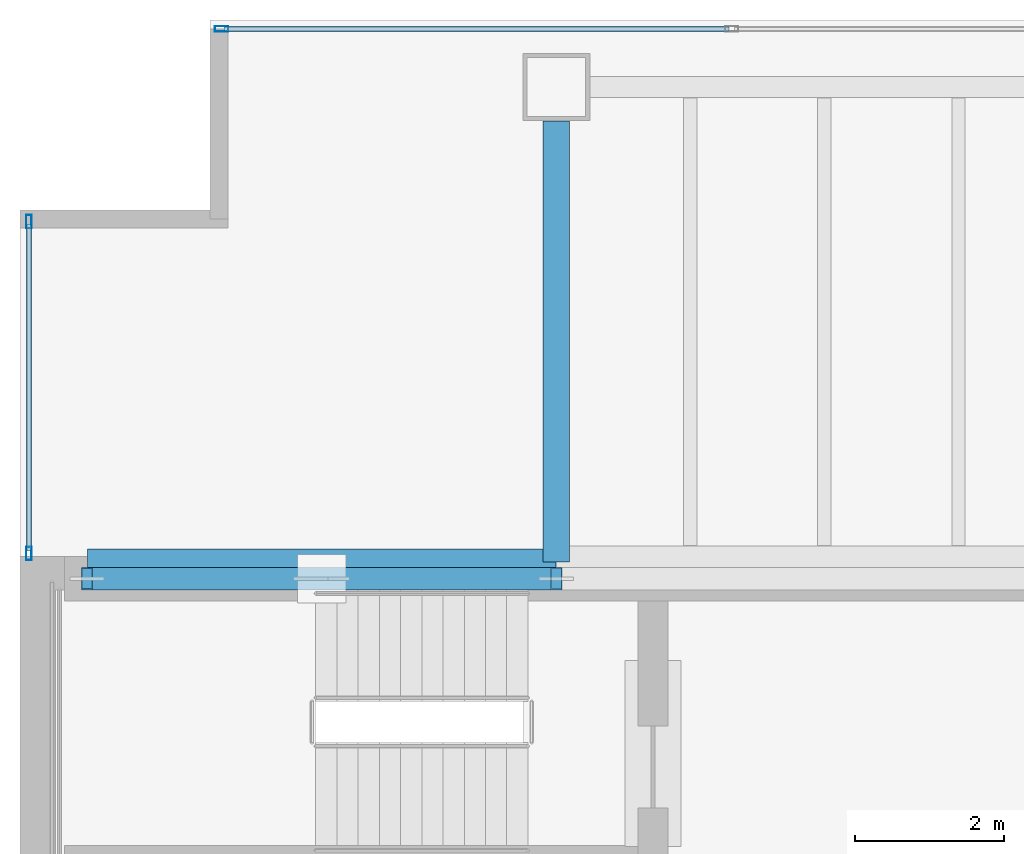
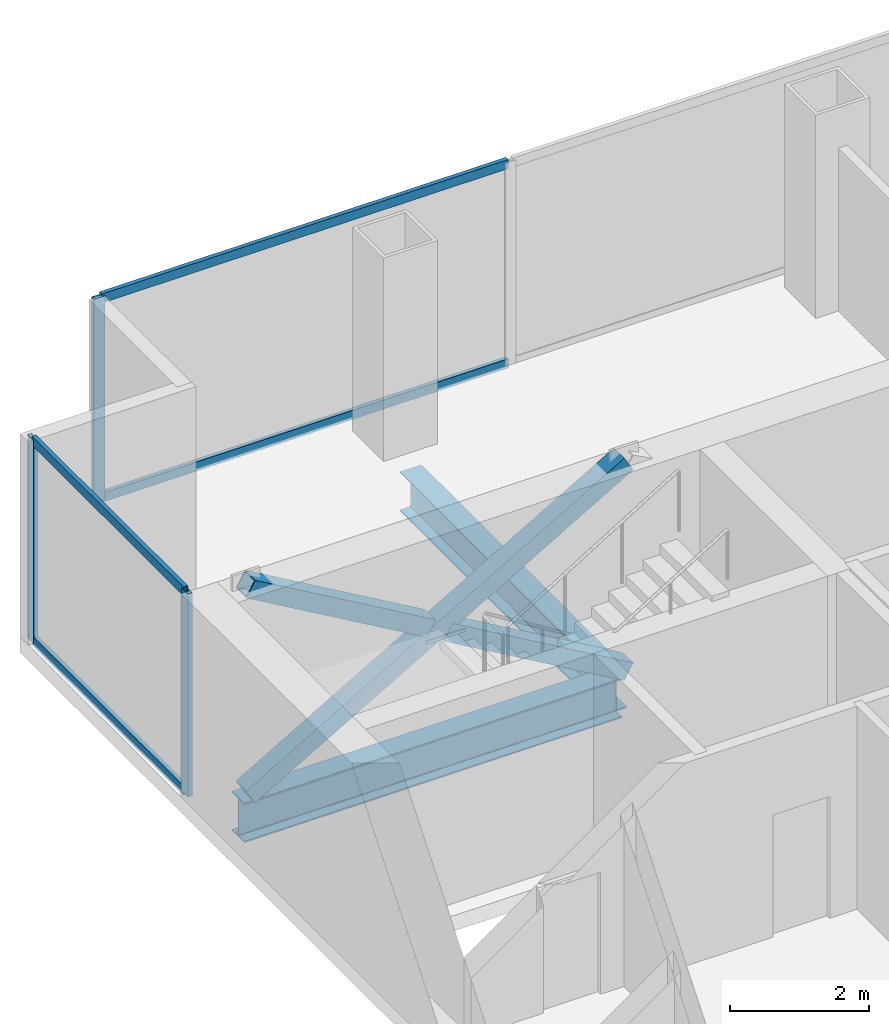
# One storey, part 16 of 23: 10 members, 2 beams, 2 elements without a shape of their own.
"""IFC4 building model written with IfcOpenShell, lengths in metres."""

from ifc_helpers import new_model, si_unit, direction, frame, origin, origin_2d, place, context, subcontext, project, spatial, hollow_rectangle, i_section, extrude, material, material_profile, profile_set, type_object, element, aggregate, save


model = new_model("IFC4")

# Units and contexts
model_context = context("Model", 3, precision=1e-05, world=origin(), true_north=direction((0.0, 1.0)))
body_context = subcontext(model_context, "Body", "Model", "MODEL_VIEW")
ifc_project = project(units=[si_unit("LENGTHUNIT", "METRE"), si_unit("AREAUNIT", "SQUARE_METRE"), si_unit("VOLUMEUNIT", "CUBIC_METRE"), si_unit("PLANEANGLEUNIT", "RADIAN"), si_unit("MASSUNIT", "GRAM", prefix="KILO")], contexts=[model_context])

# Site, building, storey
site_placement = place(None, origin())
site = spatial("IfcSite", under=ifc_project, at=site_placement, CompositionType="ELEMENT")
building_placement = place(site_placement, origin())
building = spatial("IfcBuilding", under=site, at=building_placement, Name="Cobrela Telecom Tower", CompositionType="ELEMENT")
storey_placement = place(building_placement, frame((0.0, 0.0, 133.0)))
storey = spatial("IfcBuildingStorey", under=building, at=storey_placement, Name="L33", CompositionType="ELEMENT", Elevation=133.0)

# Beams
ifc_material_1 = material(Name="Steel ASTM A992 Grade 50", Category="steel")
ifc_material_profile_1 = material_profile(ifc_material_1, i_section(OverallWidth=0.35595703125, OverallDepth=0.696044921875, WebThickness=0.015380859375, FlangeThickness=0.024658203125, FilletRadius=0.01806640625, at=origin_2d()), Name="W27X146")
ifc_profile_set_1 = profile_set([ifc_material_profile_1], Name="Steel ASTM A992 Grade 50")
beam_type = type_object("IfcBeamType", Name="BM-GIRD-05", PredefinedType="USERDEFINED", material=ifc_profile_set_1)
beam_1_placement = place(storey_placement, frame((0.905029296875, 35.919921875, -0.617919921875), z_axis=(1.0, 0.0, 0.0), x_axis=(0.0, 1.0, 0.0)))
element("IfcBeam", 1, at=beam_1_placement, inside=storey, type_object=beam_type, Name="L33 Primary Girder X25", ObjectType="GIRDER", PredefinedType="USERDEFINED", context=body_context, shape_type="SweptSolid", body=[
    extrude(i_section(OverallWidth=0.35595703125, OverallDepth=0.696044921875, WebThickness=0.015380859375, FlangeThickness=0.024658203125, FilletRadius=0.01806640625, at=origin_2d()), origin(), (0.0, 0.0, 1.0), 6.2900390625),
])
beam_2_placement = place(storey_placement, frame((7.199951171875, 35.925048828125, -0.617919921875), z_axis=(0.0, 1.0, 0.0), x_axis=(-1.0, 0.0, 0.0)))
element("IfcBeam", 2, at=beam_2_placement, inside=storey, type_object=beam_type, Name="L33 Primary Girder Y32", ObjectType="GIRDER", PredefinedType="USERDEFINED", context=body_context, shape_type="SweptSolid", body=[
    extrude(i_section(OverallWidth=0.35595703125, OverallDepth=0.696044921875, WebThickness=0.015380859375, FlangeThickness=0.024658203125, FilletRadius=0.01806640625, at=origin_2d()), origin(), (0.0, 0.0, 1.0), 5.919921875),
])

# Curtain wall, members
ifc_material_2 = material(Name="Anodized Bronze Aluminium 6063-T6", Category="aluminium")
curtain_wall_type = type_object("IfcCurtainWallType", Name="CW-SYS-TEL", PredefinedType="USERDEFINED", material=ifc_material_2)
curtain_wall_1_placement = place(storey_placement, origin())
curtain_wall_1 = element("IfcCurtainWall", 3, at=curtain_wall_1_placement, inside=storey, type_object=curtain_wall_type, Name="L33 Unitised Bronze Curtain Wall 04", ObjectType="UNITISED CURTAIN WALL", PredefinedType="USERDEFINED")
ifc_material_profile_2 = material_profile(ifc_material_2, hollow_rectangle(XDim=0.074951171875, YDim=0.179931640625, WallThickness=0.00390625, at=origin_2d()), Name="ALU 75x180x4")
ifc_profile_set_2 = profile_set([ifc_material_profile_2], Name="Anodized Bronze Aluminium 6063-T6")
member_type_1 = type_object("IfcMemberType", Name="CW-SYS-TEL-MUL", PredefinedType="MULLION", material=ifc_profile_set_2)
member_1_placement = place(storey_placement, frame((0.1201171875, 36.03759765625, 0.0), z_axis=(0.0, 0.0, 1.0), x_axis=(-1.0, 0.0, 0.0)))
member_1 = element("IfcMember", 4, at=member_1_placement, type_object=member_type_1, Name="CW-TEL mullion 1", PredefinedType="MULLION", context=body_context, shape_type="SweptSolid", body=[
    extrude(hollow_rectangle(XDim=0.074951171875, YDim=0.179931640625, WallThickness=0.00390625, at=origin_2d()), origin(), (0.0, 0.0, 1.0), 3.580078125),
])
member_2_placement = place(storey_placement, frame((0.1201171875, 40.492431640625, 0.0), z_axis=(0.0, 0.0, 1.0), x_axis=(-1.0, 0.0, 0.0)))
member_2 = element("IfcMember", 5, at=member_2_placement, type_object=member_type_1, Name="CW-TEL mullion 2", PredefinedType="MULLION", context=body_context, shape_type="SweptSolid", body=[
    extrude(hollow_rectangle(XDim=0.074951171875, YDim=0.179931640625, WallThickness=0.00390625, at=origin_2d()), origin(), (0.0, 0.0, 1.0), 3.580078125),
])

# Curtain wall, member
curtain_wall_2_placement = place(storey_placement, origin())
curtain_wall_2 = element("IfcCurtainWall", 6, at=curtain_wall_2_placement, inside=storey, type_object=curtain_wall_type, Name="L33 Unitised Bronze Curtain Wall 07", ObjectType="UNITISED CURTAIN WALL", PredefinedType="USERDEFINED")
member_3_placement = place(storey_placement, frame((2.70751953125, 43.080078125, 0.0), z_axis=(0.0, 0.0, 1.0), x_axis=(0.0, 1.0, 0.0)))
member_3 = element("IfcMember", 7, at=member_3_placement, type_object=member_type_1, Name="CW-TEL mullion 1", PredefinedType="MULLION", context=body_context, shape_type="SweptSolid", body=[
    extrude(hollow_rectangle(XDim=0.074951171875, YDim=0.179931640625, WallThickness=0.00390625, at=origin_2d()), origin(), (0.0, 0.0, 1.0), 3.580078125),
])

# Member
ifc_material_profile_3 = material_profile(ifc_material_2, hollow_rectangle(XDim=0.070068359375, YDim=0.159912109375, WallThickness=0.00390625, at=origin_2d()), Name="ALU 70x160x4")
ifc_profile_set_3 = profile_set([ifc_material_profile_3], Name="Anodized Bronze Aluminium 6063-T6")
member_type_2 = type_object("IfcMemberType", Name="CW-SYS-TEL-TRN", PredefinedType="USERDEFINED", material=ifc_profile_set_3)
member_4_placement = place(storey_placement, frame((0.1201171875, 36.074951171875, 0.034912109375), z_axis=(0.0, 1.0, 0.0), x_axis=(-1.0, 0.0, 0.0)))
member_4 = element("IfcMember", 8, at=member_4_placement, type_object=member_type_2, Name="CW-TEL transom 1.1", ObjectType="TRANSOM", PredefinedType="USERDEFINED", context=body_context, shape_type="SweptSolid", body=[
    extrude(hollow_rectangle(XDim=0.070068359375, YDim=0.159912109375, WallThickness=0.00390625, at=origin_2d()), origin(), (0.0, 0.0, 1.0), 4.380126953125),
])

member_5_placement = place(storey_placement, frame((0.1201171875, 36.074951171875, 3.544921875), z_axis=(0.0, 1.0, 0.0), x_axis=(-1.0, 0.0, 0.0)))
member_5 = element("IfcMember", 9, at=member_5_placement, type_object=member_type_2, Name="CW-TEL transom 1.2", ObjectType="TRANSOM", PredefinedType="USERDEFINED", context=body_context, shape_type="SweptSolid", body=[
    extrude(hollow_rectangle(XDim=0.070068359375, YDim=0.159912109375, WallThickness=0.00390625, at=origin_2d()), origin(), (0.0, 0.0, 1.0), 4.380126953125),
])

aggregate(curtain_wall_1, [member_1, member_2, member_4, member_5])

member_6_placement = place(storey_placement, frame((2.7451171875, 43.080078125, 0.034912109375), z_axis=(1.0, 0.0, 0.0), x_axis=(0.0, 1.0, 0.0)))
member_6 = element("IfcMember", 10, at=member_6_placement, type_object=member_type_2, Name="CW-TEL transom 1.1", ObjectType="TRANSOM", PredefinedType="USERDEFINED", context=body_context, shape_type="SweptSolid", body=[
    extrude(hollow_rectangle(XDim=0.070068359375, YDim=0.159912109375, WallThickness=0.00390625, at=origin_2d()), origin(), (0.0, 0.0, 1.0), 6.774169921875),
])

member_7_placement = place(storey_placement, frame((2.7451171875, 43.080078125, 3.544921875), z_axis=(1.0, 0.0, 0.0), x_axis=(0.0, 1.0, 0.0)))
member_7 = element("IfcMember", 11, at=member_7_placement, type_object=member_type_2, Name="CW-TEL transom 1.2", ObjectType="TRANSOM", PredefinedType="USERDEFINED", context=body_context, shape_type="SweptSolid", body=[
    extrude(hollow_rectangle(XDim=0.070068359375, YDim=0.159912109375, WallThickness=0.00390625, at=origin_2d()), origin(), (0.0, 0.0, 1.0), 6.774169921875),
])

aggregate(curtain_wall_2, [member_3, member_6, member_7])

# Members
ifc_material_3 = material(Name="Steel ASTM A572 Grade 50", Category="steel")
ifc_material_profile_4 = material_profile(ifc_material_3, hollow_rectangle(XDim=0.300048828125, YDim=0.300048828125, WallThickness=0.01611328125, at=origin_2d()), Name="HSS 300x300x16")
ifc_profile_set_4 = profile_set([ifc_material_profile_4], Name="Steel ASTM A572 Grade 50")
member_type_3 = type_object("IfcMemberType", Name="MBR-EXO-03", PredefinedType="BRACE", material=ifc_profile_set_4)
member_8_placement = place(storey_placement, frame((0.89990234375, 35.699951171875, -0.0400390625), z_axis=(0.864665946149, 0.0, 0.502347291791), x_axis=(0.0, 1.0, 0.0)))
element("IfcMember", 12, at=member_8_placement, inside=storey, type_object=member_type_3, Name="L33 Core Flange Steel X-Brace Continuous A", PredefinedType="BRACE", context=body_context, shape_type="SweptSolid", body=[
    extrude(hollow_rectangle(XDim=0.300048828125, YDim=0.300048828125, WallThickness=0.01611328125, at=origin_2d()), origin(), (0.0, 0.0, 1.0), 7.2861328125),
])
member_9_placement = place(storey_placement, frame((7.199951171875, 35.699951171875, -0.0400390625), z_axis=(-0.864666885148, 0.0, 0.502345675535), x_axis=(0.0, -1.0, 0.0)))
element("IfcMember", 13, at=member_9_placement, inside=storey, type_object=member_type_3, Name="L33 Core Flange Steel X-Brace Split B1", PredefinedType="BRACE", context=body_context, shape_type="SweptSolid", body=[
    extrude(hollow_rectangle(XDim=0.300048828125, YDim=0.300048828125, WallThickness=0.01611328125, at=origin_2d()), origin(), (0.0, 0.0, 1.0), 3.474853515625),
])
member_10_placement = place(storey_placement, frame((3.90478515625, 35.699951171875, 1.87451171875), z_axis=(-0.864684613256, 0.0, 0.502315159634), x_axis=(0.0, -1.0, 0.0)))
element("IfcMember", 14, at=member_10_placement, inside=storey, type_object=member_type_3, Name="L33 Core Flange Steel X-Brace Split B2", PredefinedType="BRACE", context=body_context, shape_type="SweptSolid", body=[
    extrude(hollow_rectangle(XDim=0.300048828125, YDim=0.300048828125, WallThickness=0.01611328125, at=origin_2d()), origin(), (0.0, 0.0, 1.0), 3.47509765625),
])

save(model, "model.ifc")
